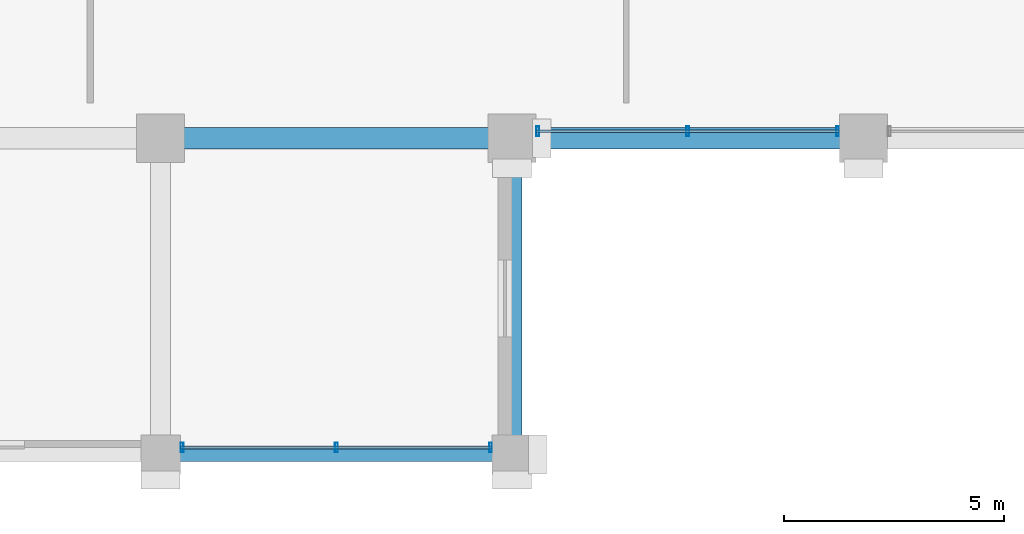
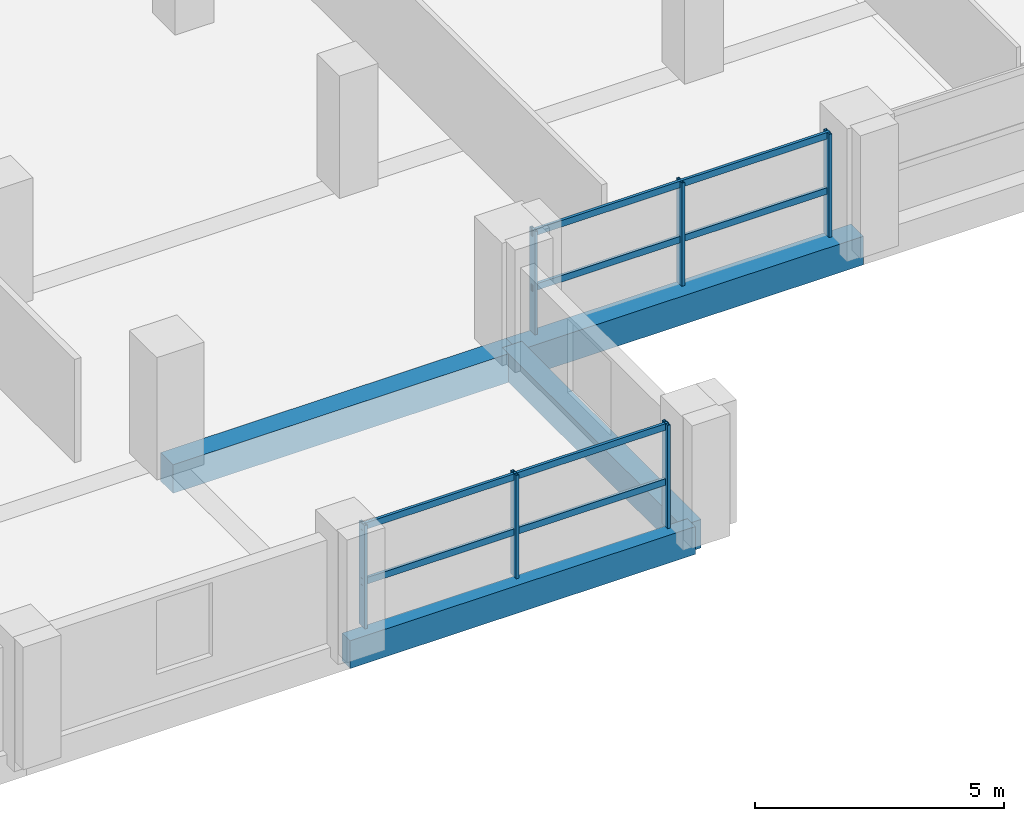
# One storey, part 2 of 21: 10 members, 4 beams, 2 elements without a shape of their own.
"""IFC4 building model written with IfcOpenShell, lengths in metres."""

from ifc_helpers import new_model, si_unit, direction, frame, origin, origin_2d, place, context, subcontext, project, spatial, rectangle, hollow_rectangle, extrude, material, material_profile, profile_set, type_object, element, aggregate, save


model = new_model("IFC4")

# Units and contexts
model_context = context("Model", 3, precision=1e-05, world=origin(), true_north=direction((0.0, 1.0)))
body_context = subcontext(model_context, "Body", "Model", "MODEL_VIEW")
ifc_project = project(units=[si_unit("LENGTHUNIT", "METRE"), si_unit("AREAUNIT", "SQUARE_METRE"), si_unit("VOLUMEUNIT", "CUBIC_METRE"), si_unit("PLANEANGLEUNIT", "RADIAN"), si_unit("MASSUNIT", "GRAM", prefix="KILO")], contexts=[model_context])

# Site, building, storey
site_placement = place(None, origin())
site = spatial("IfcSite", under=ifc_project, at=site_placement, CompositionType="ELEMENT")
building_placement = place(site_placement, origin())
building = spatial("IfcBuilding", under=site, at=building_placement, Name="Akrevak Sports Hall", CompositionType="ELEMENT")
storey_placement = place(building_placement, frame((0.0, 0.0, 34.050048828125)))
storey = spatial("IfcBuildingStorey", under=building, at=storey_placement, Name="L07", CompositionType="ELEMENT", Elevation=34.050048828125)

# Curtain wall, members
ifc_material_1 = material(Name="Anodized Bronze Aluminium & Low-E Glass", Category="aluminium")
curtain_wall_type = type_object("IfcCurtainWallType", Name="ARC-CW-TWR-56x30", PredefinedType="NOTDEFINED", material=ifc_material_1)
curtain_wall_1_placement = place(storey_placement, origin())
curtain_wall_1 = element("IfcCurtainWall", 1, at=curtain_wall_1_placement, inside=storey, type_object=curtain_wall_type, Name="Curtain Wall CW-L07-S03", PredefinedType="NOTDEFINED")
ifc_material_2 = material(Name="Anodized Bronze Aluminium", Category="aluminium")
ifc_material_profile_1 = material_profile(ifc_material_2, hollow_rectangle(XDim=0.06494140625, YDim=0.219970703125, WallThickness=0.00439453125, at=origin_2d()), Name="CWM 65x220", Category="aluminium")
ifc_profile_set_1 = profile_set([ifc_material_profile_1], Name="Anodized Bronze Aluminium")
member_type_1 = type_object("IfcMemberType", Name="ARC-CWM-70x160", PredefinedType="MULLION", material=ifc_profile_set_1)
member_1_placement = place(storey_placement, frame((60.489990234375, 21.760009765625, 0.0), z_axis=(0.0, 0.0, 1.0), x_axis=(1.0, 0.0, 0.0)))
member_1 = element("IfcMember", 2, at=member_1_placement, type_object=member_type_1, Name="Curtain Wall Mullion CW-L07-S03-M1", PredefinedType="MULLION", context=body_context, shape_type="SweptSolid", body=[
    extrude(hollow_rectangle(XDim=0.06494140625, YDim=0.219970703125, WallThickness=0.00439453125, at=origin_2d()), origin(), (0.0, 0.0, 1.0), 2.530029296875),
])
member_2_placement = place(storey_placement, frame((64.0, 21.760009765625, 0.0), z_axis=(0.0, 0.0, 1.0), x_axis=(1.0, 0.0, 0.0)))
member_2 = element("IfcMember", 3, at=member_2_placement, type_object=member_type_1, Name="Curtain Wall Mullion CW-L07-S03-M2", PredefinedType="MULLION", context=body_context, shape_type="SweptSolid", body=[
    extrude(hollow_rectangle(XDim=0.06494140625, YDim=0.219970703125, WallThickness=0.00439453125, at=origin_2d()), origin(), (0.0, 0.0, 1.0), 2.530029296875),
])
member_3_placement = place(storey_placement, frame((67.510009765625, 21.760009765625, 0.0), z_axis=(0.0, 0.0, 1.0), x_axis=(1.0, 0.0, 0.0)))
member_3 = element("IfcMember", 4, at=member_3_placement, type_object=member_type_1, Name="Curtain Wall Mullion CW-L07-S03-M3", PredefinedType="MULLION", context=body_context, shape_type="SweptSolid", body=[
    extrude(hollow_rectangle(XDim=0.06494140625, YDim=0.219970703125, WallThickness=0.00439453125, at=origin_2d()), origin(), (0.0, 0.0, 1.0), 2.530029296875),
])

curtain_wall_2_placement = place(storey_placement, origin())
curtain_wall_2 = element("IfcCurtainWall", 5, at=curtain_wall_2_placement, inside=storey, type_object=curtain_wall_type, Name="Curtain Wall CW-L07-S05", PredefinedType="NOTDEFINED")
member_4_placement = place(storey_placement, frame((68.590087890625, 28.9599609375, 0.0), z_axis=(0.0, 0.0, 1.0), x_axis=(1.0, 0.0, 0.0)))
member_4 = element("IfcMember", 6, at=member_4_placement, type_object=member_type_1, Name="Curtain Wall Mullion CW-L07-S05-M1", PredefinedType="MULLION", context=body_context, shape_type="SweptSolid", body=[
    extrude(hollow_rectangle(XDim=0.06494140625, YDim=0.219970703125, WallThickness=0.00439453125, at=origin_2d()), origin(), (0.0, 0.0, 1.0), 2.530029296875),
])
member_5_placement = place(storey_placement, frame((72.0, 28.9599609375, 0.0), z_axis=(0.0, 0.0, 1.0), x_axis=(1.0, 0.0, 0.0)))
member_5 = element("IfcMember", 7, at=member_5_placement, type_object=member_type_1, Name="Curtain Wall Mullion CW-L07-S05-M2", PredefinedType="MULLION", context=body_context, shape_type="SweptSolid", body=[
    extrude(hollow_rectangle(XDim=0.06494140625, YDim=0.219970703125, WallThickness=0.00439453125, at=origin_2d()), origin(), (0.0, 0.0, 1.0), 2.530029296875),
])
member_6_placement = place(storey_placement, frame((75.409912109375, 28.9599609375, 0.0), z_axis=(0.0, 0.0, 1.0), x_axis=(1.0, 0.0, 0.0)))
member_6 = element("IfcMember", 8, at=member_6_placement, type_object=member_type_1, Name="Curtain Wall Mullion CW-L07-S05-M3", PredefinedType="MULLION", context=body_context, shape_type="SweptSolid", body=[
    extrude(hollow_rectangle(XDim=0.06494140625, YDim=0.219970703125, WallThickness=0.00439453125, at=origin_2d()), origin(), (0.0, 0.0, 1.0), 2.530029296875),
])

# Member
ifc_material_profile_2 = material_profile(ifc_material_2, hollow_rectangle(XDim=0.06494140625, YDim=0.159912109375, WallThickness=0.00390625, at=origin_2d()), Name="CWT 65x160", Category="aluminium")
ifc_profile_set_2 = profile_set([ifc_material_profile_2], Name="Anodized Bronze Aluminium")
member_type_2 = type_object("IfcMemberType", Name="ARC-CWT-70x130", PredefinedType="USERDEFINED", material=ifc_profile_set_2)
member_7_placement = place(storey_placement, frame((60.449951171875, 21.760009765625, 1.099853515625), z_axis=(1.0, 0.0, 0.0), x_axis=(0.0, 1.0, 0.0)))
member_7 = element("IfcMember", 9, at=member_7_placement, type_object=member_type_2, Name="Curtain Wall Transom CW-L07-S03-T1", ObjectType="TRANSOM", PredefinedType="USERDEFINED", context=body_context, shape_type="SweptSolid", body=[
    extrude(hollow_rectangle(XDim=0.06494140625, YDim=0.159912109375, WallThickness=0.00390625, at=origin_2d()), origin(), (0.0, 0.0, 1.0), 7.10009765625),
])

member_8_placement = place(storey_placement, frame((60.449951171875, 21.760009765625, 2.449951171875), z_axis=(1.0, 0.0, 0.0), x_axis=(0.0, 1.0, 0.0)))
member_8 = element("IfcMember", 10, at=member_8_placement, type_object=member_type_2, Name="Curtain Wall Transom CW-L07-S03-T2", ObjectType="TRANSOM", PredefinedType="USERDEFINED", context=body_context, shape_type="SweptSolid", body=[
    extrude(hollow_rectangle(XDim=0.06494140625, YDim=0.159912109375, WallThickness=0.00390625, at=origin_2d()), origin(), (0.0, 0.0, 1.0), 7.10009765625),
])

aggregate(curtain_wall_1, [member_1, member_2, member_3, member_7, member_8])

member_9_placement = place(storey_placement, frame((68.550048828125, 28.9599609375, 1.099853515625), z_axis=(1.0, 0.0, 0.0), x_axis=(0.0, 1.0, 0.0)))
member_9 = element("IfcMember", 11, at=member_9_placement, type_object=member_type_2, Name="Curtain Wall Transom CW-L07-S05-T1", ObjectType="TRANSOM", PredefinedType="USERDEFINED", context=body_context, shape_type="SweptSolid", body=[
    extrude(hollow_rectangle(XDim=0.06494140625, YDim=0.159912109375, WallThickness=0.00390625, at=origin_2d()), origin(), (0.0, 0.0, 1.0), 6.89990234375),
])

member_10_placement = place(storey_placement, frame((68.550048828125, 28.9599609375, 2.449951171875), z_axis=(1.0, 0.0, 0.0), x_axis=(0.0, 1.0, 0.0)))
member_10 = element("IfcMember", 12, at=member_10_placement, type_object=member_type_2, Name="Curtain Wall Transom CW-L07-S05-T2", ObjectType="TRANSOM", PredefinedType="USERDEFINED", context=body_context, shape_type="SweptSolid", body=[
    extrude(hollow_rectangle(XDim=0.06494140625, YDim=0.159912109375, WallThickness=0.00390625, at=origin_2d()), origin(), (0.0, 0.0, 1.0), 6.89990234375),
])

aggregate(curtain_wall_2, [member_4, member_5, member_6, member_9, member_10])

# Beams
ifc_material_3 = material(Name="Concrete C40/50", Category="concrete")
ifc_material_profile_3 = material_profile(ifc_material_3, rectangle(XDim=0.449951171875, YDim=0.699951171875, at=origin_2d()), Name="BM 450x700", Category="concrete")
ifc_profile_set_3 = profile_set([ifc_material_profile_3], Name="Concrete C40/50")
beam_type_1 = type_object("IfcBeamType", Name="STR-BM-RC450x700", PredefinedType="BEAM", material=ifc_profile_set_3)
beam_1_placement = place(storey_placement, frame((68.0, 21.60009765625, -0.35009765625), z_axis=(0.0, 1.0, 0.0), x_axis=(-1.0, 0.0, 0.0)))
element("IfcBeam", 13, at=beam_1_placement, inside=storey, type_object=beam_type_1, Name="Girder 10/D-E (L07)", PredefinedType="BEAM", context=body_context, shape_type="SweptSolid", body=[
    extrude(rectangle(XDim=0.449951171875, YDim=0.699951171875, at=origin_2d()), origin(), (0.0, 0.0, 1.0), 7.199951171875),
])
ifc_material_profile_4 = material_profile(ifc_material_3, rectangle(XDim=0.5, YDim=0.699951171875, at=origin_2d()), Name="BM 500x700", Category="concrete")
ifc_profile_set_4 = profile_set([ifc_material_profile_4], Name="Concrete C40/50")
beam_type_2 = type_object("IfcBeamType", Name="STR-BM-RC500x700", PredefinedType="BEAM", material=ifc_profile_set_4)
for number, where, z_axis, x_axis, name in (
    (14, (60.0, 28.800048828125, -0.35009765625), (1.0, 0.0, 0.0), (0.0, 1.0, 0.0), "Girder E/9-10 (L07)"),
    (15, (68.0, 28.800048828125, -0.35009765625), (1.0, 0.0, 0.0), (0.0, 1.0, 0.0), "Girder E/10-11 (L07)"),
):
    element("IfcBeam", number, at=place(storey_placement, frame(where, z_axis=z_axis, x_axis=x_axis)), inside=storey, type_object=beam_type_2, Name=name, PredefinedType="BEAM", context=body_context, shape_type="SweptSolid", body=[
        extrude(rectangle(XDim=0.5, YDim=0.699951171875, at=origin_2d()), origin(), (0.0, 0.0, 1.0), 8.0),
    ])
ifc_material_profile_5 = material_profile(ifc_material_3, rectangle(XDim=0.320068359375, YDim=0.679931640625, at=origin_2d()), Name="SPD 320x680", Category="concrete")
ifc_profile_set_5 = profile_set([ifc_material_profile_5], Name="Concrete C40/50")
beam_type_3 = type_object("IfcBeamType", Name="STR-SPD-RC320x680", PredefinedType="SPANDREL", material=ifc_profile_set_5)
beam_2_placement = place(storey_placement, frame((60.0, 21.60009765625, -0.340087890625), z_axis=(1.0, 0.0, 0.0), x_axis=(0.0, 1.0, 0.0)))
element("IfcBeam", 16, at=beam_2_placement, inside=storey, type_object=beam_type_3, Name="Girder D/9-10 (L07)", PredefinedType="SPANDREL", context=body_context, shape_type="SweptSolid", body=[
    extrude(rectangle(XDim=0.320068359375, YDim=0.679931640625, at=origin_2d()), origin(), (0.0, 0.0, 1.0), 8.0),
])

save(model, "model.ifc")
